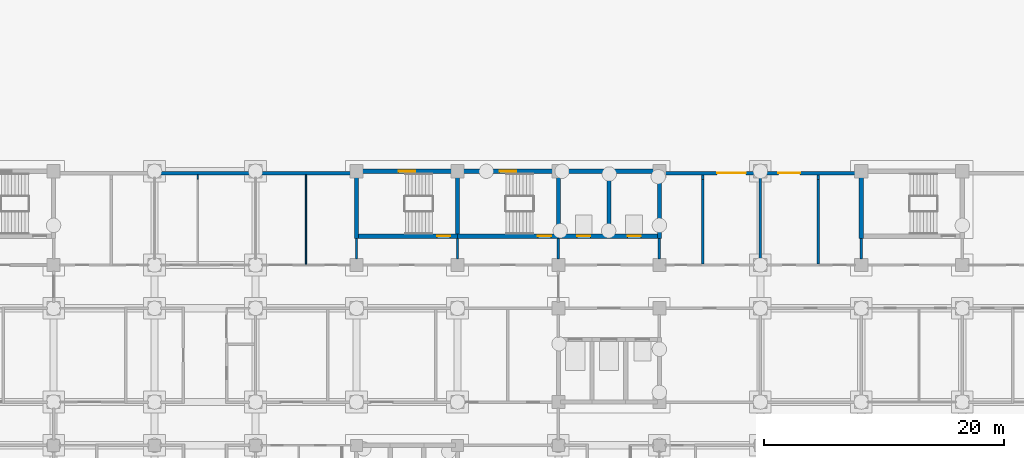
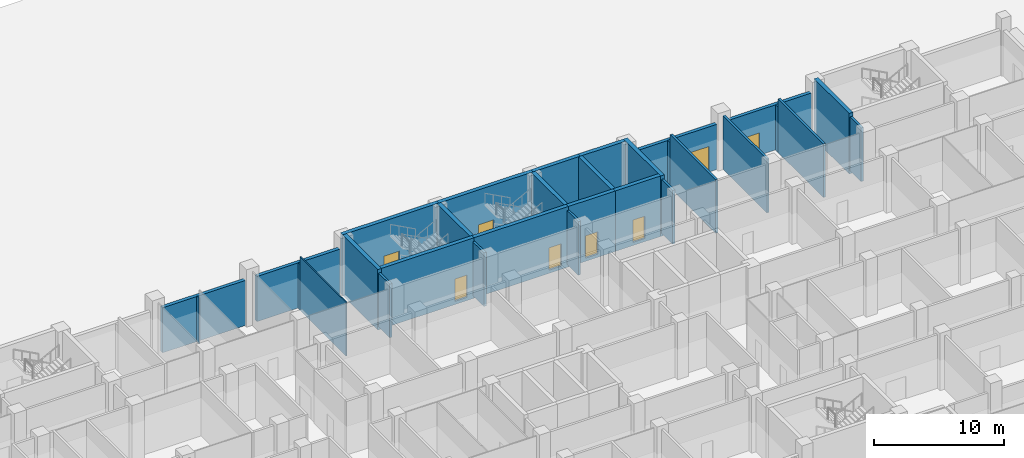
# One storey, part 92 of 146: 31 walls, 8 doors, 8 openings.
"""IFC4 building model written with IfcOpenShell, lengths in metres."""

import ifcopenshell
import ifcopenshell.guid

model = None  # the IFC model being written
_history = None  # IfcOwnerHistory: only IFC2X3 demands one
_inside = {}  # id of a spatial element -> (the spatial element, [elements in it])
_under = {}  # id of a project, library or spatial element -> (it, [spatial elements below it])
_declared = {}  # id of a project -> (the project, [libraries it declares])
_typed = {}  # id of a type object -> (the type object, [elements of that type])
_made_of = {}  # id of a material, layer set ... -> (it, [elements and type objects made of it])


def new_model(schema):
    """Start an empty IFC model of exactly this schema.

    Asked for "IFC4X3", IfcOpenShell would pick the latest addendum, in which some entities
    have other attributes; the version numbers below select the first issue.
    IFC2X3 requires an IfcOwnerHistory on every rooted entity: one is made here for all.
    """
    global model, _history
    if schema == "IFC4X3":
        model = ifcopenshell.file(schema_version=(4, 3, 0, 0))
    else:
        model = ifcopenshell.file(schema=schema)
    _inside.clear()
    _under.clear()
    _declared.clear()
    _typed.clear()
    _made_of.clear()
    _history = None
    if model.schema == "IFC2X3":
        org = make("IfcOrganization", Name="unknown")
        user = make(
            "IfcPersonAndOrganization",
            ThePerson=make("IfcPerson", FamilyName="unknown"),
            TheOrganization=org,
        )
        app = make(
            "IfcApplication",
            ApplicationDeveloper=org,
            Version="unknown",
            ApplicationFullName="unknown",
            ApplicationIdentifier="unknown",
        )
        _history = make(
            "IfcOwnerHistory",
            OwningUser=user,
            OwningApplication=app,
            ChangeAction="ADDED",
            CreationDate=0,
        )
    return model


def make(cls, **values):
    """One entity of the class cls with the attributes given. An attribute that is None is left unset."""
    return model.create_entity(
        cls, **{name: value for name, value in values.items() if value is not None}
    )


def rooted(cls, **values):
    """An entity with a GlobalId (a new one), such as an element, a storey or a relation."""
    return make(cls, GlobalId=ifcopenshell.guid.new(), OwnerHistory=_history, **values)


def si_unit(unit_type, name, prefix=None):
    """IfcSIUnit, for example si_unit("LENGTHUNIT", "METRE", prefix="MILLI")."""
    return make("IfcSIUnit", UnitType=unit_type, Prefix=prefix, Name=name)


def assignment(units):
    """IfcUnitAssignment: the units of a project."""
    return None if units is None else make("IfcUnitAssignment", Units=units)


def point(xyz):
    """IfcCartesianPoint."""
    return None if xyz is None else make("IfcCartesianPoint", Coordinates=xyz)


def direction(xyz):
    """IfcDirection."""
    return None if xyz is None else make("IfcDirection", DirectionRatios=xyz)


def frame(location, z_axis=None, x_axis=None):
    """IfcAxis2Placement3D, a coordinate frame: its origin and axes. An axis left out is left unset."""
    return make(
        "IfcAxis2Placement3D",
        Location=point(location),
        Axis=direction(z_axis),
        RefDirection=direction(x_axis),
    )


def frame_2d(location, x_axis=None):
    """IfcAxis2Placement2D, a coordinate frame in the plane: its origin and x axis."""
    return make(
        "IfcAxis2Placement2D", Location=point(location), RefDirection=direction(x_axis)
    )


def origin():
    """The frame at (0, 0, 0) with its axes left unset."""
    return frame((0.0, 0.0, 0.0))


def place(relative_to, where):
    """IfcLocalPlacement: puts the frame where relative to a parent placement (None: the world)."""
    return make(
        "IfcLocalPlacement", PlacementRelTo=relative_to, RelativePlacement=where
    )


def context(
    kind, dimensions, precision=None, world=None, true_north=None, identifier=None
):
    """IfcGeometricRepresentationContext, for example the 3D "Model" context."""
    return make(
        "IfcGeometricRepresentationContext",
        ContextIdentifier=identifier,
        ContextType=kind,
        CoordinateSpaceDimension=dimensions,
        Precision=precision,
        WorldCoordinateSystem=world,
        TrueNorth=true_north,
    )


def subcontext(parent, identifier, kind, view, scale=None):
    """IfcGeometricRepresentationSubContext, for example "Body" below "Model"."""
    return make(
        "IfcGeometricRepresentationSubContext",
        ContextIdentifier=identifier,
        ContextType=kind,
        ParentContext=parent,
        TargetScale=scale,
        TargetView=view,
    )


def project(units=None, contexts=None):
    """IfcProject with its units and contexts."""
    return rooted(
        "IfcProject",
        Name="project",
        RepresentationContexts=contexts,
        UnitsInContext=assignment(units),
    )


def spatial(cls, under=None, at=None, **own):
    """A site, building, storey or space (cls), placed at a placement, below another one or the project."""
    s = rooted(cls, ObjectPlacement=at, **own)
    if under is not None:
        _under.setdefault(under.id(), (under, []))[1].append(s)
    return s


def profile(cls, at=None, kind="AREA", **sizes):
    """A parametric profile (cls). Its sizes go by their IFC names, for example OverallWidth=200.0."""
    return make(cls, ProfileType=kind, Position=at, **sizes)


def rectangle(**sizes):
    """IfcRectangleProfileDef."""
    return profile("IfcRectangleProfileDef", **sizes)


def extrude(swept, where, along, depth):
    """IfcExtrudedAreaSolid: the profile swept, set in the frame where, extruded along a direction by depth."""
    return make(
        "IfcExtrudedAreaSolid",
        SweptArea=swept,
        Position=where,
        ExtrudedDirection=direction(along),
        Depth=depth,
    )


def shape(context_of_items, identifier, shape_type, items):
    """IfcShapeRepresentation: the items that make up one representation, for example the "Body"."""
    return make(
        "IfcShapeRepresentation",
        ContextOfItems=context_of_items,
        RepresentationIdentifier=identifier,
        RepresentationType=shape_type,
        Items=items,
    )


def material(Name=None, Category=None):
    """IfcMaterial."""
    return make("IfcMaterial", Name=Name, Category=Category)


def layer(
    of_material, thickness, ventilated=None, Name=None, Category=None, Priority=None
):
    """IfcMaterialLayer: one layer of a wall or slab, of a material (None: an air gap)."""
    return make(
        "IfcMaterialLayer",
        Material=of_material,
        LayerThickness=thickness,
        IsVentilated=ventilated,
        Name=Name,
        Category=Category,
        Priority=Priority,
    )


def layer_set(layers, Name=None):
    """IfcMaterialLayerSet."""
    return make("IfcMaterialLayerSet", MaterialLayers=layers, LayerSetName=Name)


def made_of(thing, what):
    """Note that an element or type object is made of a material, layer set ...; save() writes the relation."""
    if what is not None:
        _made_of.setdefault(what.id(), (what, []))[1].append(thing)
    return thing


def type_object(cls, material=None, **own):
    """A type object (cls), such as IfcWallType, which elements share."""
    return made_of(rooted(cls, **own), material)


def element(
    cls,
    number,
    at=None,
    inside=None,
    cuts=None,
    type_object=None,
    material=None,
    context=None,
    identifier="Body",
    shape_type=None,
    held_by="IfcProductDefinitionShape",
    body=None,
    shapes=None,
    **own,
):
    """One element of the class cls, such as IfcWall. Its Tag is "e" and its number.

    at: its placement. inside: the storey or other place that contains it. cuts: it is an
    opening in that element (IfcRelVoidsElement). A single representation is given by context,
    identifier, shape_type and body (its items); several are given by shapes. held_by: the class
    of the entity that holds the representations. save() writes the other relations.
    """
    e = rooted(cls, Tag="e%d" % number, ObjectPlacement=at, **own)
    if body is not None:
        shapes = [shape(context, identifier, shape_type, body)]
    if shapes is not None:
        e.Representation = make(held_by, Representations=shapes)
    if inside is not None:
        _inside.setdefault(inside.id(), (inside, []))[1].append(e)
    if cuts is not None:
        rooted(
            "IfcRelVoidsElement", RelatingBuildingElement=cuts, RelatedOpeningElement=e
        )
    if type_object is not None:
        _typed.setdefault(type_object.id(), (type_object, []))[1].append(e)
    return made_of(e, material)


def fill(opening, filler):
    """IfcRelFillsElement: the door or window that sits in an opening."""
    return rooted(
        "IfcRelFillsElement",
        RelatingOpeningElement=opening,
        RelatedBuildingElement=filler,
    )


def aggregate(whole, parts):
    """IfcRelAggregates: a whole, such as a stair, and the parts it consists of."""
    return rooted("IfcRelAggregates", RelatingObject=whole, RelatedObjects=parts)


def save(model, path):
    """Write the relations noted so far, then the file.

    IfcRelAggregates (storeys below a building ...), IfcRelContainedInSpatialStructure (elements
    in a storey), IfcRelDefinesByType, IfcRelAssociatesMaterial and IfcRelDeclares: one each for
    every whole, place, type object, material and project.
    """
    for whole, parts in _under.values():
        aggregate(whole, parts)
    for where, things in _inside.values():
        rooted(
            "IfcRelContainedInSpatialStructure",
            RelatedElements=things,
            RelatingStructure=where,
        )
    for kind, things in _typed.values():
        rooted("IfcRelDefinesByType", RelatedObjects=things, RelatingType=kind)
    for what, things in _made_of.values():
        rooted("IfcRelAssociatesMaterial", RelatedObjects=things, RelatingMaterial=what)
    for by, libraries in _declared.values():
        rooted("IfcRelDeclares", RelatingContext=by, RelatedDefinitions=libraries)
    model.write(path)


model = new_model("IFC4")

# Units and contexts
model_context = context("Model", 3, precision=1e-05, world=origin(), true_north=direction((0.0, 1.0)))
body_context = subcontext(model_context, "Body", "Model", "MODEL_VIEW")
ifc_project = project(units=[si_unit("LENGTHUNIT", "METRE"), si_unit("AREAUNIT", "SQUARE_METRE"), si_unit("VOLUMEUNIT", "CUBIC_METRE"), si_unit("PLANEANGLEUNIT", "RADIAN"), si_unit("MASSUNIT", "GRAM", prefix="KILO")], contexts=[model_context])

# Site, building, storey
site_placement = place(None, origin())
site = spatial("IfcSite", under=ifc_project, at=site_placement, CompositionType="ELEMENT")
building_placement = place(site_placement, origin())
building = spatial("IfcBuilding", under=site, at=building_placement, Name="Bougainvillea Quay General Hospital", CompositionType="ELEMENT")
storey_placement = place(building_placement, origin())
storey = spatial("IfcBuildingStorey", under=building, at=storey_placement, Name="L00", CompositionType="ELEMENT", Elevation=0.0)

# Wall, opening, door
ifc_material_1 = material(Name="Pale stone rainscreen cladding on insulated masonry backing, pale stone", Category="masonry")
ifc_layer_1 = layer(ifc_material_1, 0.300048828125)
ifc_layer_set_1 = layer_set([ifc_layer_1], Name="Pale stone rainscreen cladding on insulated masonry backing, pale stone")
wall_type_1 = type_object("IfcWallType", Name="External wall pale stone rainscreen 300", PredefinedType="STANDARD", material=ifc_layer_set_1)
wall_1_placement = place(storey_placement, frame((175.89990234375, 159.449951171875, 0.0), z_axis=(0.0, 0.0, 1.0), x_axis=(-1.0, 0.0, 0.0)))
wall_1 = element("IfcWall", 1, at=wall_1_placement, inside=storey, type_object=wall_type_1, Name="External wall wall/V4/L00/p0/01b", PredefinedType="STANDARD", context=body_context, shape_type="SweptSolid", body=[
    extrude(rectangle(XDim=7.39990234375, YDim=0.300048828125, at=frame_2d((3.699951171875, 0.0))), origin(), (0.0, 0.0, 1.0), 4.25),
])
opening_1_placement = place(wall_1_placement, frame((4.60009765625, 0.0, 0.0)))
opening_1 = element("IfcOpeningElement", 2, at=opening_1_placement, cuts=wall_1, Name="Opening L00.355", PredefinedType="OPENING", context=body_context, shape_type="SweptSolid", body=[
    extrude(rectangle(XDim=1.800048828125, YDim=2.10009765625, at=frame_2d((0.89990234375, 1.050048828125))), frame((0.0, 0.159912109375, 0.0), z_axis=(0.0, -1.0, 0.0), x_axis=(1.0, 0.0, 0.0)), (0.0, 0.0, 1.0), 0.320068359375),
])
ifc_material_2 = material(Name="Steel door set, painted", Category="steel")
door_type_1 = type_object("IfcDoorType", Name="Service door 1800x2100", OperationType="DOUBLE_DOOR_SINGLE_SWING", PredefinedType="DOOR", material=ifc_material_2)
door_1_placement = place(opening_1_placement, frame((1.800048828125, 0.0, 0.0), z_axis=(0.0, 0.0, 1.0), x_axis=(-1.0, 0.0, 0.0)))
door_1 = element("IfcDoor", 3, at=door_1_placement, inside=storey, type_object=door_type_1, Name="Waste collection door 2", OperationType="SINGLE_SWING_LEFT", OverallHeight=2.10009765625, OverallWidth=1.800048828125, PredefinedType="DOOR", context=body_context, shape_type="SweptSolid", body=[
    extrude(rectangle(XDim=1.800048828125, YDim=2.10009765625, at=frame_2d((0.89990234375, 1.050048828125))), frame((0.0, 0.02490234375, 0.0), z_axis=(0.0, -1.0, 0.0), x_axis=(1.0, 0.0, 0.0)), (0.0, 0.0, 1.0), 0.050048828125),
])
fill(opening_1, door_1)

wall_2_placement = place(storey_placement, frame((167.5, 159.449951171875, 0.0), z_axis=(0.0, 0.0, 1.0), x_axis=(-1.0, 0.0, 0.0)))
wall_2 = element("IfcWall", 4, at=wall_2_placement, inside=storey, type_object=wall_type_1, Name="External wall wall/V4/L00/p0/01c", PredefinedType="STANDARD", context=body_context, shape_type="SweptSolid", body=[
    extrude(rectangle(XDim=7.39990234375, YDim=0.300048828125, at=frame_2d((3.699951171875, 0.0))), origin(), (0.0, 0.0, 1.0), 4.25),
])
opening_2_placement = place(wall_2_placement, frame((0.699951171875, 0.0, 0.0)))
opening_2 = element("IfcOpeningElement", 5, at=opening_2_placement, cuts=wall_2, Name="Opening L00.354", PredefinedType="OPENING", context=body_context, shape_type="SweptSolid", body=[
    extrude(rectangle(XDim=2.39990234375, YDim=2.39990234375, at=frame_2d((1.199951171875, 1.199951171875))), frame((0.0, 0.159912109375, 0.0), z_axis=(0.0, -1.0, 0.0), x_axis=(1.0, 0.0, 0.0)), (0.0, 0.0, 1.0), 0.320068359375),
])
door_type_2 = type_object("IfcDoorType", Name="Service door 2400x2400", OperationType="DOUBLE_DOOR_SINGLE_SWING", PredefinedType="DOOR", material=ifc_material_2)
door_2_placement = place(opening_2_placement, frame((2.39990234375, 0.0, 0.0), z_axis=(0.0, 0.0, 1.0), x_axis=(-1.0, 0.0, 0.0)))
door_2 = element("IfcDoor", 6, at=door_2_placement, inside=storey, type_object=door_type_2, Name="Waste collection door 1", OperationType="SINGLE_SWING_LEFT", OverallHeight=2.39990234375, OverallWidth=2.39990234375, PredefinedType="DOOR", context=body_context, shape_type="SweptSolid", body=[
    extrude(rectangle(XDim=2.39990234375, YDim=2.39990234375, at=frame_2d((1.199951171875, 1.199951171875))), frame((0.0, 0.02490234375, 0.0), z_axis=(0.0, -1.0, 0.0), x_axis=(1.0, 0.0, 0.0)), (0.0, 0.0, 1.0), 0.050048828125),
])
fill(opening_2, door_2)

# Walls
for number, where, z_axis, x_axis, name in (
    (7, (133.89990234375, 159.449951171875, 0.0), (0.0, 0.0, 1.0), (-1.0, 0.0, 0.0), "External wall wall/V4/L00/p0/01d"),
    (8, (125.5, 159.449951171875, 0.0), (0.0, 0.0, 1.0), (-1.0, 0.0, 0.0), "External wall wall/V4/L00/p0/01e"),
):
    element("IfcWall", number, at=place(storey_placement, frame(where, z_axis=z_axis, x_axis=x_axis)), inside=storey, type_object=wall_type_1, Name=name, PredefinedType="STANDARD", context=body_context, shape_type="SweptSolid", body=[
        extrude(rectangle(XDim=7.39990234375, YDim=0.300048828125, at=frame_2d((3.699951171875, 0.0))), origin(), (0.0, 0.0, 1.0), 4.25),
    ])
ifc_material_3 = material(Name="Gypsum board partition on steel studs", Category="steel")
ifc_layer_2 = layer(ifc_material_3, 0.10009765625)
ifc_layer_set_2 = layer_set([ifc_layer_2], Name="Gypsum board partition on steel studs")
wall_type_2 = type_object("IfcWallType", Name="Partition 100 Gypsum board partition", PredefinedType="PARTITIONING", material=ifc_layer_set_2)
wall_3_placement = place(storey_placement, frame((121.197998046875, 158.949951171875, 0.0), z_axis=(0.0, 0.0, 1.0), x_axis=(0.0, 1.0, 0.0)))
element("IfcWall", 9, at=wall_3_placement, inside=storey, type_object=wall_type_2, Name="Partition 100 mm", PredefinedType="PARTITIONING", context=body_context, shape_type="SweptSolid", body=[
    extrude(rectangle(XDim=0.35009765625, YDim=0.10009765625, at=frame_2d((0.175048828125, 0.0))), origin(), (0.0, 0.0, 1.0), 4.280029296875),
])
wall_4_placement = place(storey_placement, frame((130.199951171875, 151.85009765625, 0.0), z_axis=(0.0, 0.0, 1.0), x_axis=(0.0, 1.0, 0.0)))
element("IfcWall", 10, at=wall_4_placement, inside=storey, type_object=wall_type_2, Name="Partition 100 mm", PredefinedType="PARTITIONING", context=body_context, shape_type="SweptSolid", body=[
    extrude(rectangle(XDim=7.099853515625, YDim=0.10009765625, at=frame_2d((3.5498046875, 0.0))), origin(), (0.0, 0.0, 1.0), 5.050048828125),
])
wall_5_placement = place(storey_placement, frame((130.199951171875, 158.949951171875, 0.0), z_axis=(0.0, 0.0, 1.0), x_axis=(0.0, 1.0, 0.0)))
element("IfcWall", 11, at=wall_5_placement, inside=storey, type_object=wall_type_2, Name="Partition 100 mm", PredefinedType="PARTITIONING", context=body_context, shape_type="SweptSolid", body=[
    extrude(rectangle(XDim=0.35009765625, YDim=0.10009765625, at=frame_2d((0.175048828125, 0.0))), origin(), (0.0, 0.0, 1.0), 4.280029296875),
])
ifc_material_4 = material(Name="Fire-rated autoclaved aerated block wall, plastered")
ifc_layer_3 = layer(ifc_material_4, 0.199951171875)
ifc_layer_set_3 = layer_set([ifc_layer_3], Name="Fire-rated autoclaved aerated block wall, plastered")
wall_type_3 = type_object("IfcWallType", Name="Partition 200 Fire-rated autoclaved aerated block wall EI 120", PredefinedType="SOLIDWALL", material=ifc_layer_set_3)
for number, where, z_axis, x_axis, name in (
    (12, (151.199951171875, 154.02490234375, 0.0), (0.0, 0.0, 1.0), (0.0, -1.0, 0.0), "Partition 200 mm EI 120"),
    (13, (134.39990234375, 152.300048828125, 0.0), (0.0, 0.0, 1.0), (0.0, 1.0, 0.0), "Partition 200 mm EI 120"),
    (14, (142.800048828125, 152.300048828125, 0.0), (0.0, 0.0, 1.0), (0.0, 1.0, 0.0), "Partition 200 mm EI 120"),
    (15, (159.60009765625, 152.300048828125, 0.0), (0.0, 0.0, 1.0), (0.0, 1.0, 0.0), "Partition 200 mm EI 120"),
    (16, (176.39990234375, 152.300048828125, 0.0), (0.0, 0.0, 1.0), (0.0, 1.0, 0.0), "Partition 200 mm EI 120"),
):
    element("IfcWall", number, at=place(storey_placement, frame(where, z_axis=z_axis, x_axis=x_axis)), inside=storey, type_object=wall_type_3, Name=name, PredefinedType="SOLIDWALL", context=body_context, shape_type="SweptSolid", body=[
        extrude(rectangle(XDim=1.724853515625, YDim=0.199951171875, at=frame_2d((0.8623046875, 0.0))), origin(), (0.0, 0.0, 1.0), 5.050048828125),
    ])
ifc_layer_4 = layer(ifc_material_4, 0.199951171875)
ifc_layer_set_4 = layer_set([ifc_layer_4], Name="Fire-rated autoclaved aerated block wall, plastered")
wall_type_4 = type_object("IfcWallType", Name="Partition 200 Fire-rated autoclaved aerated block wall EI 60", PredefinedType="SOLIDWALL", material=ifc_layer_set_4)
wall_6_placement = place(storey_placement, frame((163.199951171875, 151.89990234375, 0.0), z_axis=(0.0, 0.0, 1.0), x_axis=(0.0, 1.0, 0.0)))
element("IfcWall", 17, at=wall_6_placement, inside=storey, type_object=wall_type_4, Name="Partition 200 mm EI 60", PredefinedType="SOLIDWALL", context=body_context, shape_type="SweptSolid", body=[
    extrude(rectangle(XDim=7.0, YDim=0.199951171875, at=frame_2d((3.5, 0.0))), origin(), (0.0, 0.0, 1.0), 5.050048828125),
])
wall_7_placement = place(storey_placement, frame((163.199951171875, 158.89990234375, 0.0), z_axis=(0.0, 0.0, 1.0), x_axis=(0.0, 1.0, 0.0)))
element("IfcWall", 18, at=wall_7_placement, inside=storey, type_object=wall_type_4, Name="Partition 200 mm EI 60", PredefinedType="SOLIDWALL", context=body_context, shape_type="SweptSolid", body=[
    extrude(rectangle(XDim=0.400146484375, YDim=0.199951171875, at=frame_2d((0.2001953125, 0.0))), origin(), (0.0, 0.0, 1.0), 4.280029296875),
])
wall_8_placement = place(storey_placement, frame((168.0, 152.300048828125, 0.0), z_axis=(0.0, 0.0, 1.0), x_axis=(0.0, 1.0, 0.0)))
element("IfcWall", 19, at=wall_8_placement, inside=storey, type_object=wall_type_4, Name="Partition 200 mm EI 60", PredefinedType="SOLIDWALL", context=body_context, shape_type="SweptSolid", body=[
    extrude(rectangle(XDim=6.800048828125, YDim=0.199951171875, at=frame_2d((3.39990234375, 0.0))), origin(), (0.0, 0.0, 1.0), 5.050048828125),
])
wall_9_placement = place(storey_placement, frame((172.800048828125, 151.89990234375, 0.0), z_axis=(0.0, 0.0, 1.0), x_axis=(0.0, 1.0, 0.0)))
element("IfcWall", 20, at=wall_9_placement, inside=storey, type_object=wall_type_4, Name="Partition 200 mm EI 60", PredefinedType="SOLIDWALL", context=body_context, shape_type="SweptSolid", body=[
    extrude(rectangle(XDim=7.0, YDim=0.199951171875, at=frame_2d((3.5, 0.0))), origin(), (0.0, 0.0, 1.0), 5.050048828125),
])
wall_10_placement = place(storey_placement, frame((172.800048828125, 158.89990234375, 0.0), z_axis=(0.0, 0.0, 1.0), x_axis=(0.0, 1.0, 0.0)))
element("IfcWall", 21, at=wall_10_placement, inside=storey, type_object=wall_type_4, Name="Partition 200 mm EI 60", PredefinedType="SOLIDWALL", context=body_context, shape_type="SweptSolid", body=[
    extrude(rectangle(XDim=0.400146484375, YDim=0.199951171875, at=frame_2d((0.2001953125, 0.0))), origin(), (0.0, 0.0, 1.0), 4.280029296875),
])

# Wall, opening, door
ifc_material_5 = material(Name="Concrete C40", Category="concrete")
ifc_layer_5 = layer(ifc_material_5, 0.35009765625)
ifc_layer_set_5 = layer_set([ifc_layer_5], Name="Concrete C40")
wall_type_5 = type_object("IfcWallType", Name="RC SHEAR WALL 350 C40", PredefinedType="SHEAR", material=ifc_layer_set_5)
wall_11_placement = place(storey_placement, frame((134.22509765625, 159.60009765625, -0.300048828125), z_axis=(0.0, 0.0, 1.0), x_axis=(1.0, 0.0, 0.0)))
wall_11 = element("IfcWall", 22, at=wall_11_placement, inside=storey, type_object=wall_type_5, Name="Shear wall L00", PredefinedType="SHEAR", context=body_context, shape_type="SweptSolid", body=[
    extrude(rectangle(XDim=8.574951171875, YDim=0.35009765625, at=frame_2d((4.28759765625, 0.0))), origin(), (0.0, 0.0, 1.0), 5.699951171875),
])
opening_3_placement = place(wall_11_placement, frame((3.675048828125, 0.0, 0.300048828125)))
opening_3 = element("IfcOpeningElement", 23, at=opening_3_placement, cuts=wall_11, Name="Opening L00.337", PredefinedType="OPENING", context=body_context, shape_type="SweptSolid", body=[
    extrude(rectangle(XDim=1.39990234375, YDim=2.10009765625, at=frame_2d((0.699951171875, 1.050048828125))), frame((0.0, 0.18505859375, 0.0), z_axis=(0.0, -1.0, 0.0), x_axis=(1.0, 0.0, 0.0)), (0.0, 0.0, 1.0), 0.3701171875),
])
ifc_material_6 = material(Name="Steel door leaf, painted, with vision panel", Category="steel")
door_type_3 = type_object("IfcDoorType", Name="Stair discharge door 1400x2100", OperationType="SINGLE_SWING_LEFT", PredefinedType="DOOR", material=ifc_material_6)
door_3_placement = place(opening_3_placement, origin())
door_3 = element("IfcDoor", 24, at=door_3_placement, inside=storey, type_object=door_type_3, Name="Stair discharge door ST-A3", OperationType="SINGLE_SWING_LEFT", OverallHeight=2.10009765625, OverallWidth=1.39990234375, PredefinedType="DOOR", context=body_context, shape_type="SweptSolid", body=[
    extrude(rectangle(XDim=1.39990234375, YDim=2.10009765625, at=frame_2d((0.699951171875, 1.050048828125))), frame((0.0, 0.02490234375, 0.0), z_axis=(0.0, -1.0, 0.0), x_axis=(1.0, 0.0, 0.0)), (0.0, 0.0, 1.0), 0.050048828125),
])
fill(opening_3, door_3)

# Wall
wall_12_placement = place(storey_placement, frame((134.39990234375, 154.02490234375, -0.300048828125), z_axis=(0.0, 0.0, 1.0), x_axis=(0.0, 1.0, 0.0)))
element("IfcWall", 25, at=wall_12_placement, inside=storey, type_object=wall_type_5, Name="Shear wall L00", PredefinedType="SHEAR", context=body_context, shape_type="SweptSolid", body=[
    extrude(rectangle(XDim=5.400146484375, YDim=0.35009765625, at=frame_2d((2.7001953125, 0.0))), origin(), (0.0, 0.0, 1.0), 5.699951171875),
])

# Wall, opening, door
wall_13_placement = place(storey_placement, frame((134.574951171875, 154.199951171875, -0.300048828125), z_axis=(0.0, 0.0, 1.0), x_axis=(1.0, 0.0, 0.0)))
wall_13 = element("IfcWall", 26, at=wall_13_placement, inside=storey, type_object=wall_type_5, Name="Shear wall L00", PredefinedType="SHEAR", context=body_context, shape_type="SweptSolid", body=[
    extrude(rectangle(XDim=8.22509765625, YDim=0.35009765625, at=frame_2d((4.112548828125, 0.0))), origin(), (0.0, 0.0, 1.0), 5.699951171875),
])
opening_4_placement = place(wall_13_placement, frame((6.52490234375, 0.0, 0.300048828125)))
opening_4 = element("IfcOpeningElement", 27, at=opening_4_placement, cuts=wall_13, Name="Opening L00.021", PredefinedType="OPENING", context=body_context, shape_type="SweptSolid", body=[
    extrude(rectangle(XDim=1.10009765625, YDim=2.10009765625, at=frame_2d((0.550048828125, 1.050048828125))), frame((0.0, 0.18505859375, 0.0), z_axis=(0.0, -1.0, 0.0), x_axis=(1.0, 0.0, 0.0)), (0.0, 0.0, 1.0), 0.3701171875),
])
ifc_material_7 = material(Name="Steel fire door leaf in steel frame", Category="steel")
door_type_4 = type_object("IfcDoorType", Name="Steel single leaf door 1100x2100 FD60", OperationType="NOTDEFINED", PredefinedType="DOOR", material=ifc_material_7)
door_4_placement = place(opening_4_placement, origin())
door_4 = element("IfcDoor", 28, at=door_4_placement, inside=storey, type_object=door_type_4, Name="DT04 L00.021", OperationType="SINGLE_SWING_RIGHT", OverallHeight=2.10009765625, OverallWidth=1.10009765625, PredefinedType="DOOR", context=body_context, shape_type="SweptSolid", body=[
    extrude(rectangle(XDim=1.10009765625, YDim=2.10009765625, at=frame_2d((0.550048828125, 1.050048828125))), frame((0.0, 0.02490234375, 0.0), z_axis=(0.0, -1.0, 0.0), x_axis=(1.0, 0.0, 0.0)), (0.0, 0.0, 1.0), 0.050048828125),
])
fill(opening_4, door_4)

wall_14_placement = place(storey_placement, frame((142.800048828125, 154.199951171875, -0.300048828125), z_axis=(0.0, 0.0, 1.0), x_axis=(1.0, 0.0, 0.0)))
wall_14 = element("IfcWall", 29, at=wall_14_placement, inside=storey, type_object=wall_type_5, Name="Shear wall L00", PredefinedType="SHEAR", context=body_context, shape_type="SweptSolid", body=[
    extrude(rectangle(XDim=8.39990234375, YDim=0.35009765625, at=frame_2d((4.199951171875, 0.0))), origin(), (0.0, 0.0, 1.0), 5.699951171875),
])
opening_5_placement = place(wall_14_placement, frame((6.699951171875, 0.0, 0.300048828125)))
opening_5 = element("IfcOpeningElement", 30, at=opening_5_placement, cuts=wall_14, Name="Opening L00.029", PredefinedType="OPENING", context=body_context, shape_type="SweptSolid", body=[
    extrude(rectangle(XDim=1.10009765625, YDim=2.10009765625, at=frame_2d((0.550048828125, 1.050048828125))), frame((0.0, 0.18505859375, 0.0), z_axis=(0.0, -1.0, 0.0), x_axis=(1.0, 0.0, 0.0)), (0.0, 0.0, 1.0), 0.3701171875),
])
door_5_placement = place(opening_5_placement, origin())
door_5 = element("IfcDoor", 31, at=door_5_placement, inside=storey, type_object=door_type_4, Name="DT04 L00.029", OperationType="SINGLE_SWING_RIGHT", OverallHeight=2.10009765625, OverallWidth=1.10009765625, PredefinedType="DOOR", context=body_context, shape_type="SweptSolid", body=[
    extrude(rectangle(XDim=1.10009765625, YDim=2.10009765625, at=frame_2d((0.550048828125, 1.050048828125))), frame((0.0, 0.02490234375, 0.0), z_axis=(0.0, -1.0, 0.0), x_axis=(1.0, 0.0, 0.0)), (0.0, 0.0, 1.0), 0.050048828125),
])
fill(opening_5, door_5)

# Wall
wall_15_placement = place(storey_placement, frame((142.800048828125, 154.375, -0.300048828125), z_axis=(0.0, 0.0, 1.0), x_axis=(0.0, 1.0, 0.0)))
element("IfcWall", 32, at=wall_15_placement, inside=storey, type_object=wall_type_5, Name="Shear wall L00", PredefinedType="SHEAR", context=body_context, shape_type="SweptSolid", body=[
    extrude(rectangle(XDim=5.050048828125, YDim=0.35009765625, at=frame_2d((2.52490234375, 0.0))), origin(), (0.0, 0.0, 1.0), 5.699951171875),
])

# Wall, opening, door
wall_16_placement = place(storey_placement, frame((142.800048828125, 159.60009765625, -0.300048828125), z_axis=(0.0, 0.0, 1.0), x_axis=(1.0, 0.0, 0.0)))
wall_16 = element("IfcWall", 33, at=wall_16_placement, inside=storey, type_object=wall_type_5, Name="Shear wall L00", PredefinedType="SHEAR", context=body_context, shape_type="SweptSolid", body=[
    extrude(rectangle(XDim=8.39990234375, YDim=0.35009765625, at=frame_2d((4.199951171875, 0.0))), origin(), (0.0, 0.0, 1.0), 5.699951171875),
])
opening_6_placement = place(wall_16_placement, frame((3.5, 0.0, 0.300048828125)))
opening_6 = element("IfcOpeningElement", 34, at=opening_6_placement, cuts=wall_16, Name="Opening L00.345", PredefinedType="OPENING", context=body_context, shape_type="SweptSolid", body=[
    extrude(rectangle(XDim=1.39990234375, YDim=2.10009765625, at=frame_2d((0.699951171875, 1.050048828125))), frame((0.0, 0.18505859375, 0.0), z_axis=(0.0, -1.0, 0.0), x_axis=(1.0, 0.0, 0.0)), (0.0, 0.0, 1.0), 0.3701171875),
])
door_6_placement = place(opening_6_placement, origin())
door_6 = element("IfcDoor", 35, at=door_6_placement, inside=storey, type_object=door_type_3, Name="Stair discharge door ST-D3", OperationType="SINGLE_SWING_LEFT", OverallHeight=2.10009765625, OverallWidth=1.39990234375, PredefinedType="DOOR", context=body_context, shape_type="SweptSolid", body=[
    extrude(rectangle(XDim=1.39990234375, YDim=2.10009765625, at=frame_2d((0.699951171875, 1.050048828125))), frame((0.0, 0.02490234375, 0.0), z_axis=(0.0, -1.0, 0.0), x_axis=(1.0, 0.0, 0.0)), (0.0, 0.0, 1.0), 0.050048828125),
])
fill(opening_6, door_6)

wall_17_placement = place(storey_placement, frame((151.199951171875, 154.199951171875, -0.300048828125), z_axis=(0.0, 0.0, 1.0), x_axis=(1.0, 0.0, 0.0)))
wall_17 = element("IfcWall", 36, at=wall_17_placement, inside=storey, type_object=wall_type_5, Name="Shear wall L00", PredefinedType="SHEAR", context=body_context, shape_type="SweptSolid", body=[
    extrude(rectangle(XDim=4.199951171875, YDim=0.35009765625, at=frame_2d((2.10009765625, 0.0))), origin(), (0.0, 0.0, 1.0), 5.699951171875),
])
opening_7_placement = place(wall_17_placement, frame((1.550048828125, 0.0, 0.300048828125)))
opening_7 = element("IfcOpeningElement", 37, at=opening_7_placement, cuts=wall_17, Name="Opening LD-S1.1-L00", PredefinedType="OPENING", context=body_context, shape_type="SweptSolid", body=[
    extrude(rectangle(XDim=1.10009765625, YDim=2.10009765625, at=frame_2d((0.550048828125, 1.050048828125))), frame((0.0, 0.18505859375, 0.0), z_axis=(0.0, -1.0, 0.0), x_axis=(1.0, 0.0, 0.0)), (0.0, 0.0, 1.0), 0.3701171875),
])
ifc_material_8 = material(Name="Stainless steel centre-opening landing door", Category="steel")
door_type_5 = type_object("IfcDoorType", Name="Lift landing door 1100x2100 E 120", OperationType="DOUBLE_DOOR_SLIDING", PredefinedType="DOOR", material=ifc_material_8)
door_7_placement = place(opening_7_placement, origin())
door_7 = element("IfcDoor", 38, at=door_7_placement, inside=storey, type_object=door_type_5, Name="Lift landing door LB-S1-1 L00", OperationType="DOUBLE_DOOR_SLIDING", OverallHeight=2.10009765625, OverallWidth=1.10009765625, PredefinedType="DOOR", context=body_context, shape_type="SweptSolid", body=[
    extrude(rectangle(XDim=1.10009765625, YDim=2.10009765625, at=frame_2d((0.550048828125, 1.050048828125))), frame((0.0, 0.02490234375, 0.0), z_axis=(0.0, -1.0, 0.0), x_axis=(1.0, 0.0, 0.0)), (0.0, 0.0, 1.0), 0.050048828125),
])
fill(opening_7, door_7)

# Walls
wall_18_placement = place(storey_placement, frame((151.199951171875, 154.375, -0.300048828125), z_axis=(0.0, 0.0, 1.0), x_axis=(0.0, 1.0, 0.0)))
element("IfcWall", 39, at=wall_18_placement, inside=storey, type_object=wall_type_5, Name="Shear wall L00", PredefinedType="SHEAR", context=body_context, shape_type="SweptSolid", body=[
    extrude(rectangle(XDim=5.050048828125, YDim=0.35009765625, at=frame_2d((2.52490234375, 0.0))), origin(), (0.0, 0.0, 1.0), 5.699951171875),
])
wall_19_placement = place(storey_placement, frame((151.199951171875, 159.60009765625, -0.300048828125), z_axis=(0.0, 0.0, 1.0), x_axis=(1.0, 0.0, 0.0)))
element("IfcWall", 40, at=wall_19_placement, inside=storey, type_object=wall_type_5, Name="Shear wall L00", PredefinedType="SHEAR", context=body_context, shape_type="SweptSolid", body=[
    extrude(rectangle(XDim=4.199951171875, YDim=0.35009765625, at=frame_2d((2.10009765625, 0.0))), origin(), (0.0, 0.0, 1.0), 5.699951171875),
])

# Wall, opening, door
wall_20_placement = place(storey_placement, frame((155.39990234375, 154.199951171875, -0.300048828125), z_axis=(0.0, 0.0, 1.0), x_axis=(1.0, 0.0, 0.0)))
wall_20 = element("IfcWall", 41, at=wall_20_placement, inside=storey, type_object=wall_type_5, Name="Shear wall L00", PredefinedType="SHEAR", context=body_context, shape_type="SweptSolid", body=[
    extrude(rectangle(XDim=4.025146484375, YDim=0.35009765625, at=frame_2d((2.0126953125, 0.0))), origin(), (0.0, 0.0, 1.0), 5.699951171875),
])
opening_8_placement = place(wall_20_placement, frame((1.550048828125, 0.0, 0.300048828125)))
opening_8 = element("IfcOpeningElement", 42, at=opening_8_placement, cuts=wall_20, Name="Opening LD-S1.2-L00", PredefinedType="OPENING", context=body_context, shape_type="SweptSolid", body=[
    extrude(rectangle(XDim=1.10009765625, YDim=2.10009765625, at=frame_2d((0.550048828125, 1.050048828125))), frame((0.0, 0.18505859375, 0.0), z_axis=(0.0, -1.0, 0.0), x_axis=(1.0, 0.0, 0.0)), (0.0, 0.0, 1.0), 0.3701171875),
])
door_8_placement = place(opening_8_placement, origin())
door_8 = element("IfcDoor", 43, at=door_8_placement, inside=storey, type_object=door_type_5, Name="Lift landing door LB-S1-2 L00", OperationType="DOUBLE_DOOR_SLIDING", OverallHeight=2.10009765625, OverallWidth=1.10009765625, PredefinedType="DOOR", context=body_context, shape_type="SweptSolid", body=[
    extrude(rectangle(XDim=1.10009765625, YDim=2.10009765625, at=frame_2d((0.550048828125, 1.050048828125))), frame((0.0, 0.02490234375, 0.0), z_axis=(0.0, -1.0, 0.0), x_axis=(1.0, 0.0, 0.0)), (0.0, 0.0, 1.0), 0.050048828125),
])
fill(opening_8, door_8)

# Walls
wall_21_placement = place(storey_placement, frame((155.39990234375, 154.375, -0.300048828125), z_axis=(0.0, 0.0, 1.0), x_axis=(0.0, 1.0, 0.0)))
element("IfcWall", 44, at=wall_21_placement, inside=storey, type_object=wall_type_5, Name="Shear wall L00", PredefinedType="SHEAR", context=body_context, shape_type="SweptSolid", body=[
    extrude(rectangle(XDim=5.050048828125, YDim=0.35009765625, at=frame_2d((2.52490234375, 0.0))), origin(), (0.0, 0.0, 1.0), 5.699951171875),
])
wall_22_placement = place(storey_placement, frame((155.39990234375, 159.60009765625, -0.300048828125), z_axis=(0.0, 0.0, 1.0), x_axis=(1.0, 0.0, 0.0)))
element("IfcWall", 45, at=wall_22_placement, inside=storey, type_object=wall_type_5, Name="Shear wall L00", PredefinedType="SHEAR", context=body_context, shape_type="SweptSolid", body=[
    extrude(rectangle(XDim=4.025146484375, YDim=0.35009765625, at=frame_2d((2.0126953125, 0.0))), origin(), (0.0, 0.0, 1.0), 5.699951171875),
])
wall_23_placement = place(storey_placement, frame((159.60009765625, 154.02490234375, -0.300048828125), z_axis=(0.0, 0.0, 1.0), x_axis=(0.0, 1.0, 0.0)))
element("IfcWall", 46, at=wall_23_placement, inside=storey, type_object=wall_type_5, Name="Shear wall L00", PredefinedType="SHEAR", context=body_context, shape_type="SweptSolid", body=[
    extrude(rectangle(XDim=5.75, YDim=0.35009765625, at=frame_2d((2.875, 0.0))), origin(), (0.0, 0.0, 1.0), 5.699951171875),
])
wall_24_placement = place(storey_placement, frame((176.39990234375, 154.02490234375, -0.300048828125), z_axis=(0.0, 0.0, 1.0), x_axis=(0.0, 1.0, 0.0)))
element("IfcWall", 47, at=wall_24_placement, inside=storey, type_object=wall_type_5, Name="Shear wall L00", PredefinedType="SHEAR", context=body_context, shape_type="SweptSolid", body=[
    extrude(rectangle(XDim=5.400146484375, YDim=0.35009765625, at=frame_2d((2.7001953125, 0.0))), origin(), (0.0, 0.0, 1.0), 5.699951171875),
])

save(model, "model.ifc")
